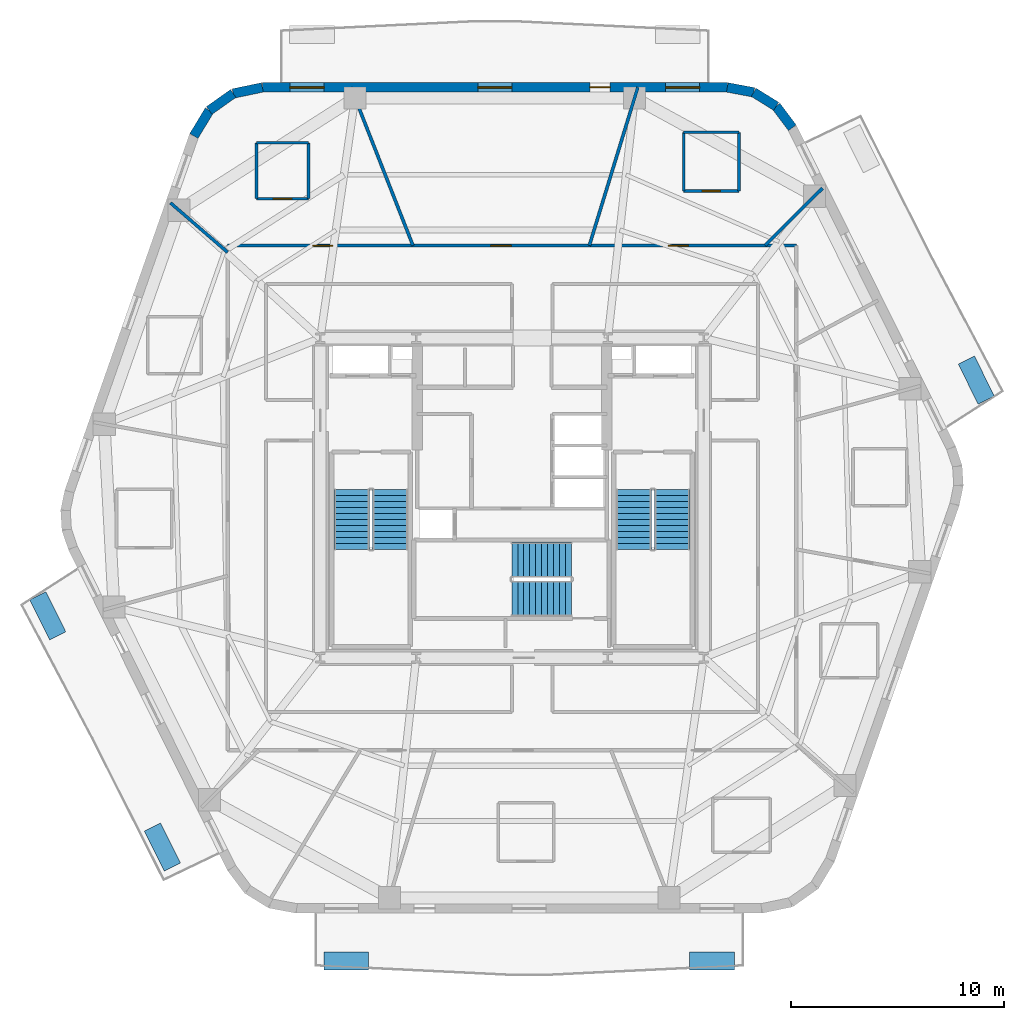
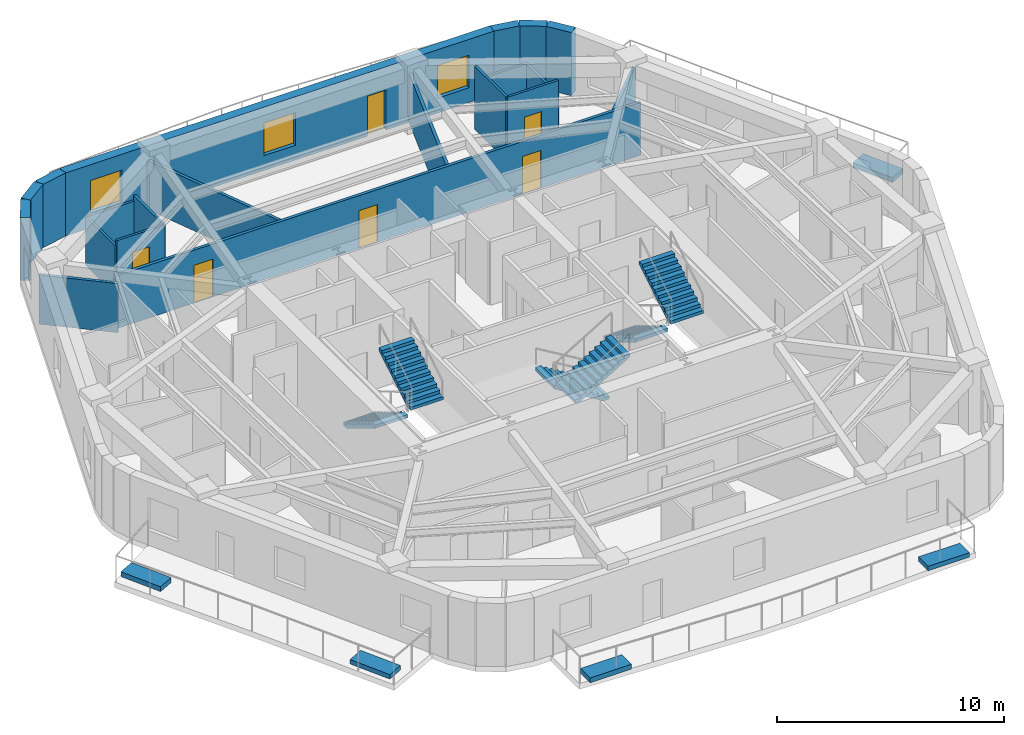
# One storey, part 6 of 10: 20 walls, 6 doors, 6 stair flights, 5 discrete accessories, 3 windows, 9 openings, 3 elements without a shape of their own.
"""IFC4 building model written with IfcOpenShell, lengths in metres."""

from ifc_helpers import new_model, si_unit, direction, frame, frame_2d, origin, origin_2d, place, context, subcontext, project, spatial, polyline, rectangle, outline, extrude, material, layer, layer_set, type_object, element, fill, aggregate, save


model = new_model("IFC4")

# Units and contexts
model_context = context("Model", 3, precision=1e-05, world=origin(), true_north=direction((0.0, 1.0)))
body_context = subcontext(model_context, "Body", "Model", "MODEL_VIEW")
ifc_project = project(units=[si_unit("LENGTHUNIT", "METRE"), si_unit("AREAUNIT", "SQUARE_METRE"), si_unit("VOLUMEUNIT", "CUBIC_METRE"), si_unit("PLANEANGLEUNIT", "RADIAN"), si_unit("MASSUNIT", "GRAM", prefix="KILO")], contexts=[model_context])

# Site, building, storey
site_placement = place(None, origin())
site = spatial("IfcSite", under=ifc_project, at=site_placement, CompositionType="ELEMENT")
building_placement = place(site_placement, origin())
building = spatial("IfcBuilding", under=site, at=building_placement, Name="Kilnhurst Terrace Hotel", CompositionType="ELEMENT")
storey_placement = place(building_placement, frame((0.0, 0.0, 186.699951171875)))
storey = spatial("IfcBuildingStorey", under=building, at=storey_placement, Name="L46", CompositionType="ELEMENT", Elevation=186.699951171875)

# Walls
ifc_material_1 = material(Name="Precast concrete C40/50", Category="concrete")
ifc_layer_1 = layer(ifc_material_1, 0.449951171875, Name="Precast concrete C40/50")
ifc_layer_set_1 = layer_set([ifc_layer_1], Name="Precast concrete C40/50")
wall_type_1 = type_object("IfcWallType", Name="WL-BRK-450", PredefinedType="SOLIDWALL", material=ifc_layer_set_1)
wall_1_placement = place(storey_placement, frame((13.162353515625, 17.380615234375, 0.0), z_axis=(0.0, 0.0, 1.0), x_axis=(-0.601515770517, 0.798860925205, 0.0)))
element("IfcWall", 1, at=wall_1_placement, inside=storey, type_object=wall_type_1, Name="L46 Rounded Corner Brick Wall C4.1", PredefinedType="SOLIDWALL", context=body_context, shape_type="SweptSolid", body=[
    extrude(rectangle(XDim=1.261962890625, YDim=0.449951171875, at=frame_2d((0.630859375, 0.0))), origin(), (0.0, 0.0, 1.0), 3.400146484375),
])
wall_2_placement = place(storey_placement, frame((12.4033203125, 18.388671875, 0.0), z_axis=(0.0, 0.0, 1.0), x_axis=(-0.849795170926, 0.527113049991, 0.0)))
element("IfcWall", 2, at=wall_2_placement, inside=storey, type_object=wall_type_1, Name="L46 Rounded Corner Brick Wall C4.2", PredefinedType="SOLIDWALL", context=body_context, shape_type="SweptSolid", body=[
    extrude(rectangle(XDim=1.24072265625, YDim=0.449951171875, at=frame_2d((0.620361328125, 0.0))), origin(), (0.0, 0.0, 1.0), 3.400146484375),
])
wall_3_placement = place(storey_placement, frame((11.348876953125, 19.042724609375, 0.0), z_axis=(0.0, 0.0, 1.0), x_axis=(-0.982931267051, 0.183973161772, 0.0)))
element("IfcWall", 3, at=wall_3_placement, inside=storey, type_object=wall_type_1, Name="L46 Rounded Corner Brick Wall C4.3", PredefinedType="SOLIDWALL", context=body_context, shape_type="SweptSolid", body=[
    extrude(rectangle(XDim=1.261962890625, YDim=0.449951171875, at=frame_2d((0.630859375, 0.0))), origin(), (0.0, 0.0, 1.0), 3.400146484375),
])
wall_4_placement = place(storey_placement, frame((-11.720458984375, 19.27490234375, 0.0), z_axis=(0.0, 0.0, 1.0), x_axis=(-0.97893106758, -0.204191001093, 0.0)))
element("IfcWall", 4, at=wall_4_placement, inside=storey, type_object=wall_type_1, Name="L46 Rounded Corner Brick Wall C5.1", PredefinedType="SOLIDWALL", context=body_context, shape_type="SweptSolid", body=[
    extrude(rectangle(XDim=1.400146484375, YDim=0.449951171875, at=frame_2d((0.7001953125, 0.0))), origin(), (0.0, 0.0, 1.0), 3.400146484375),
])
wall_5_placement = place(storey_placement, frame((-13.091064453125, 18.989013671875, 0.0), z_axis=(0.0, 0.0, 1.0), x_axis=(-0.815574637848, -0.578651890258, 0.0)))
element("IfcWall", 5, at=wall_5_placement, inside=storey, type_object=wall_type_1, Name="L46 Rounded Corner Brick Wall C5.2", PredefinedType="SOLIDWALL", context=body_context, shape_type="SweptSolid", body=[
    extrude(rectangle(XDim=1.376708984375, YDim=0.449951171875, at=frame_2d((0.6884765625, 0.0))), origin(), (0.0, 0.0, 1.0), 3.400146484375),
])
wall_6_placement = place(storey_placement, frame((-14.2138671875, 18.1923828125, 0.0), z_axis=(0.0, 0.0, 1.0), x_axis=(-0.516340945502, -0.856383108193, 0.0)))
element("IfcWall", 6, at=wall_6_placement, inside=storey, type_object=wall_type_1, Name="L46 Rounded Corner Brick Wall C5.3", PredefinedType="SOLIDWALL", context=body_context, shape_type="SweptSolid", body=[
    extrude(rectangle(XDim=1.400146484375, YDim=0.449951171875, at=frame_2d((0.7001953125, 0.0))), origin(), (0.0, 0.0, 1.0), 3.400146484375),
])

# Wall, openings, door, windows
wall_7_placement = place(storey_placement, frame((10.1083984375, 19.27490234375, 0.0), z_axis=(0.0, 0.0, 1.0), x_axis=(-1.0, 0.0, 0.0)))
wall_7 = element("IfcWall", 7, at=wall_7_placement, inside=storey, type_object=wall_type_1, Name="L46 Exterior Brick Facade Wall F4", PredefinedType="SOLIDWALL", context=body_context, shape_type="SweptSolid", body=[
    extrude(rectangle(XDim=21.828857421875, YDim=0.449951171875, at=frame_2d((10.91455078125, 0.0))), origin(), (0.0, 0.0, 1.0), 3.400146484375),
])
opening_1_placement = place(wall_7_placement, frame((5.5029296875, 0.0, 0.0)))
opening_1 = element("IfcOpeningElement", 8, at=opening_1_placement, cuts=wall_7, Name="Opening BD-950", PredefinedType="OPENING", context=body_context, shape_type="SweptSolid", body=[
    extrude(rectangle(XDim=0.949951171875, YDim=2.14990234375, at=frame_2d((0.47509765625, 1.074951171875))), frame((0.0, 0.23486328125, 0.0), z_axis=(0.0, -1.0, 0.0), x_axis=(1.0, 0.0, 0.0)), (0.0, 0.0, 1.0), 0.469970703125),
])
opening_2_placement = place(wall_7_placement, frame((1.297119140625, 0.0, 0.800048828125)))
opening_2 = element("IfcOpeningElement", 9, at=opening_2_placement, cuts=wall_7, Name="Opening W-05", PredefinedType="OPENING", context=body_context, shape_type="SweptSolid", body=[
    extrude(rectangle(XDim=1.60009765625, YDim=1.75, at=frame_2d((0.800048828125, 0.875))), frame((0.0, 0.23486328125, 0.0), z_axis=(0.0, -1.0, 0.0), x_axis=(1.0, 0.0, 0.0)), (0.0, 0.0, 1.0), 0.469970703125),
])
opening_3_placement = place(wall_7_placement, frame((10.114990234375, 0.0, 0.800048828125)))
opening_3 = element("IfcOpeningElement", 10, at=opening_3_placement, cuts=wall_7, Name="Opening W-05", PredefinedType="OPENING", context=body_context, shape_type="SweptSolid", body=[
    extrude(rectangle(XDim=1.60009765625, YDim=1.75, at=frame_2d((0.800048828125, 0.875))), frame((0.0, 0.23486328125, 0.0), z_axis=(0.0, -1.0, 0.0), x_axis=(1.0, 0.0, 0.0)), (0.0, 0.0, 1.0), 0.469970703125),
])
opening_4_placement = place(wall_7_placement, frame((18.93310546875, 0.0, 0.800048828125)))
opening_4 = element("IfcOpeningElement", 11, at=opening_4_placement, cuts=wall_7, Name="Opening W-05", PredefinedType="OPENING", context=body_context, shape_type="SweptSolid", body=[
    extrude(rectangle(XDim=1.60009765625, YDim=1.75, at=frame_2d((0.800048828125, 0.875))), frame((0.0, 0.23486328125, 0.0), z_axis=(0.0, -1.0, 0.0), x_axis=(1.0, 0.0, 0.0)), (0.0, 0.0, 1.0), 0.469970703125),
])
ifc_material_2 = material(Name="Thermally Broken Bronze Aluminium Alloy 6063-T6 and Laminated Glass", Category="aluminium")
door_type_1 = type_object("IfcDoorType", Name="DR-EXT-BAL-950", OperationType="NOTDEFINED", PredefinedType="DOOR", material=ifc_material_2)
door_1_placement = place(opening_1_placement, origin())
door_1 = element("IfcDoor", 12, at=door_1_placement, inside=storey, type_object=door_type_1, Name="L46 Planted Balcony Door BAL-L1B", OperationType="SINGLE_SWING_RIGHT", OverallHeight=2.14990234375, OverallWidth=0.949951171875, PredefinedType="DOOR", context=body_context, shape_type="SweptSolid", body=[
    extrude(rectangle(XDim=0.949951171875, YDim=2.14990234375, at=frame_2d((0.47509765625, 1.074951171875))), frame((0.0, 0.02490234375, 0.0), z_axis=(0.0, -1.0, 0.0), x_axis=(1.0, 0.0, 0.0)), (0.0, 0.0, 1.0), 0.050048828125),
])
fill(opening_1, door_1)
ifc_material_3 = material(Name="Thermally Broken Bronze Aluminium Alloy 6063-T6 and Low-E Glass", Category="aluminium")
window_type = type_object("IfcWindowType", Name="WIN-1600X1750", PartitioningType="SINGLE_PANEL", PredefinedType="WINDOW", material=ifc_material_3)
window_1_placement = place(opening_2_placement, origin())
window_1 = element("IfcWindow", 13, at=window_1_placement, inside=storey, type_object=window_type, Name="L46 Deep-Set Masonry Window F4.1", OverallHeight=1.75, OverallWidth=1.60009765625, PartitioningType="SINGLE_PANEL", PredefinedType="WINDOW", context=body_context, shape_type="SweptSolid", body=[
    extrude(rectangle(XDim=1.60009765625, YDim=1.75, at=frame_2d((0.800048828125, 0.875))), frame((0.0, 0.030029296875, 0.0), z_axis=(0.0, -1.0, 0.0), x_axis=(1.0, 0.0, 0.0)), (0.0, 0.0, 1.0), 0.06005859375),
])
fill(opening_2, window_1)
window_2_placement = place(opening_3_placement, origin())
window_2 = element("IfcWindow", 14, at=window_2_placement, inside=storey, type_object=window_type, Name="L46 Deep-Set Masonry Window F4.2", OverallHeight=1.75, OverallWidth=1.60009765625, PartitioningType="SINGLE_PANEL", PredefinedType="WINDOW", context=body_context, shape_type="SweptSolid", body=[
    extrude(rectangle(XDim=1.60009765625, YDim=1.75, at=frame_2d((0.800048828125, 0.875))), frame((0.0, 0.030029296875, 0.0), z_axis=(0.0, -1.0, 0.0), x_axis=(1.0, 0.0, 0.0)), (0.0, 0.0, 1.0), 0.06005859375),
])
fill(opening_3, window_2)
window_3_placement = place(opening_4_placement, origin())
window_3 = element("IfcWindow", 15, at=window_3_placement, inside=storey, type_object=window_type, Name="L46 Deep-Set Masonry Window F4.3", OverallHeight=1.75, OverallWidth=1.60009765625, PartitioningType="SINGLE_PANEL", PredefinedType="WINDOW", context=body_context, shape_type="SweptSolid", body=[
    extrude(rectangle(XDim=1.60009765625, YDim=1.75, at=frame_2d((0.800048828125, 0.875))), frame((0.0, 0.030029296875, 0.0), z_axis=(0.0, -1.0, 0.0), x_axis=(1.0, 0.0, 0.0)), (0.0, 0.0, 1.0), 0.06005859375),
])
fill(opening_4, window_3)

# Wall, openings, doors
ifc_material_4 = material(Name="Acoustic Double-Gypsum Corridor Partition Assembly")
ifc_layer_2 = layer(ifc_material_4, 0.14990234375, Name="Acoustic Double-Gypsum Corridor Partition Assembly")
ifc_layer_set_2 = layer_set([ifc_layer_2], Name="Acoustic Double-Gypsum Corridor Partition Assembly")
wall_type_2 = type_object("IfcWallType", Name="WL-COR-150", PredefinedType="PARTITIONING", material=ifc_layer_set_2)
wall_8_placement = place(storey_placement, frame((-13.35009765625, 11.85009765625, 0.0), z_axis=(0.0, 0.0, 1.0), x_axis=(1.0, 0.0, 0.0)))
wall_8 = element("IfcWall", 16, at=wall_8_placement, inside=storey, type_object=wall_type_2, Name="L46 Interior Wall WL-L46-COR-03", PredefinedType="PARTITIONING", context=body_context, shape_type="SweptSolid", body=[
    extrude(rectangle(XDim=26.7001953125, YDim=0.14990234375, at=frame_2d((13.35009765625, 0.0))), origin(), (0.0, 0.0, 1.0), 2.840087890625),
])
opening_5_placement = place(wall_8_placement, frame((20.681884765625, 0.0, 0.0)))
opening_5 = element("IfcOpeningElement", 17, at=opening_5_placement, cuts=wall_8, Name="Opening D-60B", PredefinedType="OPENING", context=body_context, shape_type="SweptSolid", body=[
    extrude(rectangle(XDim=0.949951171875, YDim=2.030029296875, at=frame_2d((0.47509765625, 1.01513671875))), frame((0.0, 0.0849609375, 0.0), z_axis=(0.0, -1.0, 0.0), x_axis=(1.0, 0.0, 0.0)), (0.0, 0.0, 1.0), 0.169921875),
])
opening_6_placement = place(wall_8_placement, frame((12.362060546875, 0.0, 0.0)))
opening_6 = element("IfcOpeningElement", 18, at=opening_6_placement, cuts=wall_8, Name="Opening D-60B", PredefinedType="OPENING", context=body_context, shape_type="SweptSolid", body=[
    extrude(rectangle(XDim=0.949951171875, YDim=2.030029296875, at=frame_2d((0.47509765625, 1.01513671875))), frame((0.0, 0.0849609375, 0.0), z_axis=(0.0, -1.0, 0.0), x_axis=(1.0, 0.0, 0.0)), (0.0, 0.0, 1.0), 0.169921875),
])
opening_7_placement = place(wall_8_placement, frame((3.9951171875, 0.0, 0.0)))
opening_7 = element("IfcOpeningElement", 19, at=opening_7_placement, cuts=wall_8, Name="Opening D-60B", PredefinedType="OPENING", context=body_context, shape_type="SweptSolid", body=[
    extrude(rectangle(XDim=0.949951171875, YDim=2.030029296875, at=frame_2d((0.47509765625, 1.01513671875))), frame((0.0, 0.0849609375, 0.0), z_axis=(0.0, -1.0, 0.0), x_axis=(1.0, 0.0, 0.0)), (0.0, 0.0, 1.0), 0.169921875),
])
ifc_material_5 = material(Name="Acoustic Walnut Veneer Solid-Core Fire Door")
door_type_2 = type_object("IfcDoorType", Name="DR-FD60-950", OperationType="NOTDEFINED", PredefinedType="DOOR", material=ifc_material_5)
door_2_placement = place(opening_5_placement, origin())
door_2 = element("IfcDoor", 20, at=door_2_placement, inside=storey, type_object=door_type_2, Name="L46 Executive Suite Entry Door 3", OperationType="SINGLE_SWING_LEFT", OverallHeight=2.030029296875, OverallWidth=0.949951171875, PredefinedType="DOOR", context=body_context, shape_type="SweptSolid", body=[
    extrude(rectangle(XDim=0.949951171875, YDim=2.030029296875, at=frame_2d((0.47509765625, 1.01513671875))), frame((0.0, 0.02490234375, 0.0), z_axis=(0.0, -1.0, 0.0), x_axis=(1.0, 0.0, 0.0)), (0.0, 0.0, 1.0), 0.050048828125),
])
fill(opening_5, door_2)
door_3_placement = place(opening_6_placement, origin())
door_3 = element("IfcDoor", 21, at=door_3_placement, inside=storey, type_object=door_type_2, Name="L46 Executive Boardroom Door", OperationType="SINGLE_SWING_RIGHT", OverallHeight=2.030029296875, OverallWidth=0.949951171875, PredefinedType="DOOR", context=body_context, shape_type="SweptSolid", body=[
    extrude(rectangle(XDim=0.949951171875, YDim=2.030029296875, at=frame_2d((0.47509765625, 1.01513671875))), frame((0.0, 0.02490234375, 0.0), z_axis=(0.0, -1.0, 0.0), x_axis=(1.0, 0.0, 0.0)), (0.0, 0.0, 1.0), 0.050048828125),
])
fill(opening_6, door_3)
door_4_placement = place(opening_7_placement, origin())
door_4 = element("IfcDoor", 22, at=door_4_placement, inside=storey, type_object=door_type_2, Name="L46 Executive Suite Entry Door 5", OperationType="SINGLE_SWING_LEFT", OverallHeight=2.030029296875, OverallWidth=0.949951171875, PredefinedType="DOOR", context=body_context, shape_type="SweptSolid", body=[
    extrude(rectangle(XDim=0.949951171875, YDim=2.030029296875, at=frame_2d((0.47509765625, 1.01513671875))), frame((0.0, 0.02490234375, 0.0), z_axis=(0.0, -1.0, 0.0), x_axis=(1.0, 0.0, 0.0)), (0.0, 0.0, 1.0), 0.050048828125),
])
fill(opening_7, door_4)

# Walls
ifc_material_6 = material(Name="STC-58 Acoustic Twin-Frame Guestroom Demising Partition")
ifc_layer_3 = layer(ifc_material_6, 0.14990234375, Name="STC-58 Acoustic Twin-Frame Guestroom Demising Partition")
ifc_layer_set_3 = layer_set([ifc_layer_3], Name="STC-58 Acoustic Twin-Frame Guestroom Demising Partition")
wall_type_3 = type_object("IfcWallType", Name="WL-DEM-150", PredefinedType="PARTITIONING", material=ifc_layer_set_3)
wall_9_placement = place(storey_placement, frame((11.8818359375, 11.85009765625, 0.0), z_axis=(0.0, 0.0, 1.0), x_axis=(0.708037373639, 0.706174962407, 0.0)))
element("IfcWall", 23, at=wall_9_placement, inside=storey, type_object=wall_type_3, Name="L46 Interior Wall WL-L46-DEM-COL02-03-1", PredefinedType="PARTITIONING", context=body_context, shape_type="SweptSolid", body=[
    extrude(rectangle(XDim=3.801513671875, YDim=0.14990234375, at=frame_2d((1.90087890625, 0.0))), origin(), (0.0, 0.0, 1.0), 2.64013671875),
])
wall_10_placement = place(storey_placement, frame((3.63134765625, 11.85009765625, 0.0), z_axis=(0.0, 0.0, 1.0), x_axis=(0.293007573338, 0.956110120209, 0.0)))
element("IfcWall", 24, at=wall_10_placement, inside=storey, type_object=wall_type_3, Name="L46 Interior Wall WL-L46-DEM-COL03-04-1", PredefinedType="PARTITIONING", context=body_context, shape_type="SweptSolid", body=[
    extrude(rectangle(XDim=7.765625, YDim=0.14990234375, at=frame_2d((3.8828125, 0.0))), origin(), (0.0, 0.0, 1.0), 2.64013671875),
])
wall_11_placement = place(storey_placement, frame((-4.64990234375, 11.85009765625, 0.0), z_axis=(0.0, 0.0, 1.0), x_axis=(-0.365265947993, 0.930903210456, 0.0)))
element("IfcWall", 25, at=wall_11_placement, inside=storey, type_object=wall_type_3, Name="L46 Interior Wall WL-L46-DEM-COL04-05-1", PredefinedType="PARTITIONING", context=body_context, shape_type="SweptSolid", body=[
    extrude(rectangle(XDim=7.975830078125, YDim=0.14990234375, at=frame_2d((3.98779296875, 0.0))), origin(), (0.0, 0.0, 1.0), 2.64013671875),
])
wall_12_placement = place(storey_placement, frame((-13.35009765625, 11.53271484375, 0.0), z_axis=(0.0, 0.0, 1.0), x_axis=(-0.756711647314, 0.65374879183, 0.0)))
element("IfcWall", 26, at=wall_12_placement, inside=storey, type_object=wall_type_3, Name="L46 Interior Wall WL-L46-DEM-COL05-06-1", PredefinedType="PARTITIONING", context=body_context, shape_type="SweptSolid", body=[
    extrude(rectangle(XDim=3.549560546875, YDim=0.14990234375, at=frame_2d((1.77490234375, 0.0))), origin(), (0.0, 0.0, 1.0), 2.64013671875),
])

# Wall, opening, door
ifc_material_7 = material(Name="120 mm Moisture-Resistant Tile-Backed Bathroom Partition")
ifc_layer_4 = layer(ifc_material_7, 0.1201171875, Name="120 mm Moisture-Resistant Tile-Backed Bathroom Partition")
ifc_layer_set_4 = layer_set([ifc_layer_4], Name="120 mm Moisture-Resistant Tile-Backed Bathroom Partition")
wall_type_4 = type_object("IfcWallType", Name="WL-PART-120", PredefinedType="PARTITIONING", material=ifc_layer_set_4)
wall_13_placement = place(storey_placement, frame((8.05810546875, 14.410888671875, 0.0), z_axis=(0.0, 0.0, 1.0), x_axis=(1.0, 0.0, 0.0)))
wall_13 = element("IfcWall", 27, at=wall_13_placement, inside=storey, type_object=wall_type_4, Name="L46 Interior Wall WL-L46-BTH-03-1", PredefinedType="PARTITIONING", context=body_context, shape_type="SweptSolid", body=[
    extrude(rectangle(XDim=2.599853515625, YDim=0.1201171875, at=frame_2d((1.2998046875, 0.0))), origin(), (0.0, 0.0, 1.0), 3.400146484375),
])
opening_8_placement = place(wall_13_placement, frame((0.875, 0.0, 0.0)))
opening_8 = element("IfcOpeningElement", 28, at=opening_8_placement, cuts=wall_13, Name="Opening D-08A", PredefinedType="OPENING", context=body_context, shape_type="SweptSolid", body=[
    extrude(rectangle(XDim=0.85009765625, YDim=2.030029296875, at=frame_2d((0.425048828125, 1.01513671875))), frame((0.0, 0.070068359375, 0.0), z_axis=(0.0, -1.0, 0.0), x_axis=(1.0, 0.0, 0.0)), (0.0, 0.0, 1.0), 0.14013671875),
])
ifc_material_8 = material(Name="Moisture-Resistant Lacquered En-suite Bathroom Door")
door_type_3 = type_object("IfcDoorType", Name="DR-INT-850", OperationType="NOTDEFINED", PredefinedType="DOOR", material=ifc_material_8)
door_5_placement = place(opening_8_placement, origin())
door_5 = element("IfcDoor", 29, at=door_5_placement, inside=storey, type_object=door_type_3, Name="L46 En-suite Bathroom Door 3", OperationType="SINGLE_SWING_RIGHT", OverallHeight=2.030029296875, OverallWidth=0.85009765625, PredefinedType="DOOR", context=body_context, shape_type="SweptSolid", body=[
    extrude(rectangle(XDim=0.85009765625, YDim=2.030029296875, at=frame_2d((0.425048828125, 1.01513671875))), frame((0.0, 0.02490234375, 0.0), z_axis=(0.0, -1.0, 0.0), x_axis=(1.0, 0.0, 0.0)), (0.0, 0.0, 1.0), 0.050048828125),
])
fill(opening_8, door_5)

# Walls
wall_14_placement = place(storey_placement, frame((10.657958984375, 14.410888671875, 0.0), z_axis=(0.0, 0.0, 1.0), x_axis=(0.0, 1.0, 0.0)))
element("IfcWall", 30, at=wall_14_placement, inside=storey, type_object=wall_type_4, Name="L46 Interior Wall WL-L46-BTH-03-2", PredefinedType="PARTITIONING", context=body_context, shape_type="SweptSolid", body=[
    extrude(rectangle(XDim=2.75, YDim=0.1201171875, at=frame_2d((1.375, 0.0))), origin(), (0.0, 0.0, 1.0), 2.64013671875),
])
wall_15_placement = place(storey_placement, frame((10.657958984375, 17.160888671875, 0.0), z_axis=(0.0, 0.0, 1.0), x_axis=(-1.0, 0.0, 0.0)))
element("IfcWall", 31, at=wall_15_placement, inside=storey, type_object=wall_type_4, Name="L46 Interior Wall WL-L46-BTH-03-3", PredefinedType="PARTITIONING", context=body_context, shape_type="SweptSolid", body=[
    extrude(rectangle(XDim=2.599853515625, YDim=0.1201171875, at=frame_2d((1.2998046875, 0.0))), origin(), (0.0, 0.0, 1.0), 2.64013671875),
])
wall_16_placement = place(storey_placement, frame((8.05810546875, 17.160888671875, 0.0), z_axis=(0.0, 0.0, 1.0), x_axis=(0.0, -1.0, 0.0)))
element("IfcWall", 32, at=wall_16_placement, inside=storey, type_object=wall_type_4, Name="L46 Interior Wall WL-L46-BTH-03-4", PredefinedType="PARTITIONING", context=body_context, shape_type="SweptSolid", body=[
    extrude(rectangle(XDim=2.75, YDim=0.1201171875, at=frame_2d((1.375, 0.0))), origin(), (0.0, 0.0, 1.0), 3.400146484375),
])

# Wall, opening, door
wall_17_placement = place(storey_placement, frame((-11.99609375, 14.056884765625, 0.0), z_axis=(0.0, 0.0, 1.0), x_axis=(1.0, 0.0, 0.0)))
wall_17 = element("IfcWall", 33, at=wall_17_placement, inside=storey, type_object=wall_type_4, Name="L46 Interior Wall WL-L46-BTH-05-1", PredefinedType="PARTITIONING", context=body_context, shape_type="SweptSolid", body=[
    extrude(rectangle(XDim=2.440185546875, YDim=0.1201171875, at=frame_2d((1.22021484375, 0.0))), origin(), (0.0, 0.0, 1.0), 2.926513671875),
])
opening_9_placement = place(wall_17_placement, frame((0.794921875, 0.0, 0.0)))
opening_9 = element("IfcOpeningElement", 34, at=opening_9_placement, cuts=wall_17, Name="Opening D-08A", PredefinedType="OPENING", context=body_context, shape_type="SweptSolid", body=[
    extrude(rectangle(XDim=0.85009765625, YDim=2.030029296875, at=frame_2d((0.425048828125, 1.01513671875))), frame((0.0, 0.070068359375, 0.0), z_axis=(0.0, -1.0, 0.0), x_axis=(1.0, 0.0, 0.0)), (0.0, 0.0, 1.0), 0.14013671875),
])
door_6_placement = place(opening_9_placement, origin())
door_6 = element("IfcDoor", 35, at=door_6_placement, inside=storey, type_object=door_type_3, Name="L46 En-suite Bathroom Door 5", OperationType="SINGLE_SWING_RIGHT", OverallHeight=2.030029296875, OverallWidth=0.85009765625, PredefinedType="DOOR", context=body_context, shape_type="SweptSolid", body=[
    extrude(rectangle(XDim=0.85009765625, YDim=2.030029296875, at=frame_2d((0.425048828125, 1.01513671875))), frame((0.0, 0.02490234375, 0.0), z_axis=(0.0, -1.0, 0.0), x_axis=(1.0, 0.0, 0.0)), (0.0, 0.0, 1.0), 0.050048828125),
])
fill(opening_9, door_6)

# Walls
wall_18_placement = place(storey_placement, frame((-9.555908203125, 14.056884765625, 0.0), z_axis=(0.0, 0.0, 1.0), x_axis=(0.0, 1.0, 0.0)))
element("IfcWall", 36, at=wall_18_placement, inside=storey, type_object=wall_type_4, Name="L46 Interior Wall WL-L46-BTH-05-2", PredefinedType="PARTITIONING", context=body_context, shape_type="SweptSolid", body=[
    extrude(rectangle(XDim=2.610107421875, YDim=0.1201171875, at=frame_2d((1.30517578125, 0.0))), origin(), (0.0, 0.0, 1.0), 2.926513671875),
])
wall_19_placement = place(storey_placement, frame((-9.555908203125, 16.6669921875, 0.0), z_axis=(0.0, 0.0, 1.0), x_axis=(-1.0, 0.0, 0.0)))
element("IfcWall", 37, at=wall_19_placement, inside=storey, type_object=wall_type_4, Name="L46 Interior Wall WL-L46-BTH-05-3", PredefinedType="PARTITIONING", context=body_context, shape_type="SweptSolid", body=[
    extrude(rectangle(XDim=2.440185546875, YDim=0.1201171875, at=frame_2d((1.22021484375, 0.0))), origin(), (0.0, 0.0, 1.0), 2.64013671875),
])
wall_20_placement = place(storey_placement, frame((-11.99609375, 16.6669921875, 0.0), z_axis=(0.0, 0.0, 1.0), x_axis=(0.0, -1.0, 0.0)))
element("IfcWall", 38, at=wall_20_placement, inside=storey, type_object=wall_type_4, Name="L46 Interior Wall WL-L46-BTH-05-4", PredefinedType="PARTITIONING", context=body_context, shape_type="SweptSolid", body=[
    extrude(rectangle(XDim=2.610107421875, YDim=0.1201171875, at=frame_2d((1.30517578125, 0.0))), origin(), (0.0, 0.0, 1.0), 2.64013671875),
])

# Stair, stair flights
ifc_material_9 = material(Name="Concrete C50/60", Category="concrete")
stair_type = type_object("IfcStairType", Name="STR-CORE-1660", PredefinedType="HALF_TURN_STAIR", material=ifc_material_9)
stair_1_placement = place(storey_placement, origin())
stair_1 = element("IfcStair", 39, at=stair_1_placement, inside=storey, type_object=stair_type, Name="L46 ST-1", PredefinedType="HALF_TURN_STAIR")
stair_flight_type = type_object("IfcStairFlightType", Name="FLT-RC-1660", PredefinedType="STRAIGHT", material=ifc_material_9)
stair_flight_1_placement = place(storey_placement, frame((-7.52001953125, 0.389892578125, 0.0), z_axis=(0.0, 0.0, 1.0), x_axis=(0.0, -1.0, 0.0)))
stair_flight_1 = element("IfcStairFlight", 40, at=stair_flight_1_placement, type_object=stair_flight_type, Name="ST-1 flight 1", NumberOfRisers=11, NumberOfTreads=10, PredefinedType="STRAIGHT", RiserHeight=0.168181818, TreadLength=0.28, context=body_context, shape_type="SweptSolid", body=[
    extrude(outline(polyline([(0.0, 0.0), (0.0, 0.168212890625), (0.280029296875, 0.168212890625), (0.280029296875, 0.33642578125), (0.56005859375, 0.33642578125), (0.56005859375, 0.504638671875), (0.840087890625, 0.504638671875), (0.840087890625, 0.672607421875), (1.1201171875, 0.672607421875), (1.1201171875, 0.8408203125), (1.39990234375, 0.8408203125), (1.39990234375, 1.009033203125), (1.679931640625, 1.009033203125), (1.679931640625, 1.17724609375), (1.9599609375, 1.17724609375), (1.9599609375, 1.345458984375), (2.239990234375, 1.345458984375), (2.239990234375, 1.513671875), (2.52001953125, 1.513671875), (2.52001953125, 1.681884765625), (2.800048828125, 1.681884765625), (2.800048828125, 1.85009765625), (2.800048828125, 1.5068359375), (0.291015625, 0.0), (0.0, 0.0)])), frame((0.0, 0.830078125, 0.0), z_axis=(0.0, -1.0, 0.0), x_axis=(1.0, 0.0, 0.0)), (0.0, 0.0, 1.0), 1.659912109375),
])
stair_flight_2_placement = place(storey_placement, frame((-5.7099609375, -2.409912109375, 1.85009765625), z_axis=(0.0, 0.0, 1.0), x_axis=(0.0, 1.0, 0.0)))
stair_flight_2 = element("IfcStairFlight", 41, at=stair_flight_2_placement, type_object=stair_flight_type, Name="ST-1 flight 2", NumberOfRisers=11, NumberOfTreads=10, PredefinedType="STRAIGHT", RiserHeight=0.168181818, TreadLength=0.28, context=body_context, shape_type="SweptSolid", body=[
    extrude(outline(polyline([(0.0, 0.0), (0.0, 0.168212890625), (0.280029296875, 0.168212890625), (0.280029296875, 0.33642578125), (0.56005859375, 0.33642578125), (0.56005859375, 0.504638671875), (0.840087890625, 0.504638671875), (0.840087890625, 0.672607421875), (1.1201171875, 0.672607421875), (1.1201171875, 0.8408203125), (1.39990234375, 0.8408203125), (1.39990234375, 1.009033203125), (1.679931640625, 1.009033203125), (1.679931640625, 1.17724609375), (1.9599609375, 1.17724609375), (1.9599609375, 1.345458984375), (2.239990234375, 1.345458984375), (2.239990234375, 1.513671875), (2.52001953125, 1.513671875), (2.52001953125, 1.681884765625), (2.800048828125, 1.681884765625), (2.800048828125, 1.85009765625), (2.800048828125, 1.5068359375), (0.291015625, 0.0), (0.0, 0.0)])), frame((0.0, 0.830078125, 0.0), z_axis=(0.0, -1.0, 0.0), x_axis=(1.0, 0.0, 0.0)), (0.0, 0.0, 1.0), 1.659912109375),
])
aggregate(stair_1, [stair_flight_1, stair_flight_2])

stair_2_placement = place(storey_placement, origin())
stair_2 = element("IfcStair", 42, at=stair_2_placement, inside=storey, type_object=stair_type, Name="L46 ST-2", PredefinedType="HALF_TURN_STAIR")
stair_flight_3_placement = place(storey_placement, frame((5.7099609375, 0.389892578125, 0.0), z_axis=(0.0, 0.0, 1.0), x_axis=(0.0, -1.0, 0.0)))
stair_flight_3 = element("IfcStairFlight", 43, at=stair_flight_3_placement, type_object=stair_flight_type, Name="ST-2 flight 1", NumberOfRisers=11, NumberOfTreads=10, PredefinedType="STRAIGHT", RiserHeight=0.168181818, TreadLength=0.28, context=body_context, shape_type="SweptSolid", body=[
    extrude(outline(polyline([(0.0, 0.0), (0.0, 0.168212890625), (0.280029296875, 0.168212890625), (0.280029296875, 0.33642578125), (0.56005859375, 0.33642578125), (0.56005859375, 0.504638671875), (0.840087890625, 0.504638671875), (0.840087890625, 0.672607421875), (1.1201171875, 0.672607421875), (1.1201171875, 0.8408203125), (1.39990234375, 0.8408203125), (1.39990234375, 1.009033203125), (1.679931640625, 1.009033203125), (1.679931640625, 1.17724609375), (1.9599609375, 1.17724609375), (1.9599609375, 1.345458984375), (2.239990234375, 1.345458984375), (2.239990234375, 1.513671875), (2.52001953125, 1.513671875), (2.52001953125, 1.681884765625), (2.800048828125, 1.681884765625), (2.800048828125, 1.85009765625), (2.800048828125, 1.5068359375), (0.291015625, 0.0), (0.0, 0.0)])), frame((0.0, 0.830078125, 0.0), z_axis=(0.0, -1.0, 0.0), x_axis=(1.0, 0.0, 0.0)), (0.0, 0.0, 1.0), 1.659912109375),
])
stair_flight_4_placement = place(storey_placement, frame((7.52001953125, -2.409912109375, 1.85009765625), z_axis=(0.0, 0.0, 1.0), x_axis=(0.0, 1.0, 0.0)))
stair_flight_4 = element("IfcStairFlight", 44, at=stair_flight_4_placement, type_object=stair_flight_type, Name="ST-2 flight 2", NumberOfRisers=11, NumberOfTreads=10, PredefinedType="STRAIGHT", RiserHeight=0.168181818, TreadLength=0.28, context=body_context, shape_type="SweptSolid", body=[
    extrude(outline(polyline([(0.0, 0.0), (0.0, 0.168212890625), (0.280029296875, 0.168212890625), (0.280029296875, 0.33642578125), (0.56005859375, 0.33642578125), (0.56005859375, 0.504638671875), (0.840087890625, 0.504638671875), (0.840087890625, 0.672607421875), (1.1201171875, 0.672607421875), (1.1201171875, 0.8408203125), (1.39990234375, 0.8408203125), (1.39990234375, 1.009033203125), (1.679931640625, 1.009033203125), (1.679931640625, 1.17724609375), (1.9599609375, 1.17724609375), (1.9599609375, 1.345458984375), (2.239990234375, 1.345458984375), (2.239990234375, 1.513671875), (2.52001953125, 1.513671875), (2.52001953125, 1.681884765625), (2.800048828125, 1.681884765625), (2.800048828125, 1.85009765625), (2.800048828125, 1.5068359375), (0.291015625, 0.0), (0.0, 0.0)])), frame((0.0, 0.830078125, 0.0), z_axis=(0.0, -1.0, 0.0), x_axis=(1.0, 0.0, 0.0)), (0.0, 0.0, 1.0), 1.659912109375),
])
aggregate(stair_2, [stair_flight_3, stair_flight_4])

stair_3_placement = place(storey_placement, origin())
stair_3 = element("IfcStair", 45, at=stair_3_placement, inside=storey, type_object=stair_type, Name="L46 ST-3", PredefinedType="HALF_TURN_STAIR")
stair_flight_5_placement = place(storey_placement, frame((2.7900390625, -2.909912109375, 0.0), z_axis=(0.0, 0.0, 1.0), x_axis=(-1.0, 0.0, 0.0)))
stair_flight_5 = element("IfcStairFlight", 46, at=stair_flight_5_placement, type_object=stair_flight_type, Name="ST-3 flight 1", NumberOfRisers=11, NumberOfTreads=10, PredefinedType="STRAIGHT", RiserHeight=0.168181818, TreadLength=0.28, context=body_context, shape_type="SweptSolid", body=[
    extrude(outline(polyline([(0.0, 0.0), (0.0, 0.168212890625), (0.280029296875, 0.168212890625), (0.280029296875, 0.33642578125), (0.56005859375, 0.33642578125), (0.56005859375, 0.504638671875), (0.840087890625, 0.504638671875), (0.840087890625, 0.672607421875), (1.1201171875, 0.672607421875), (1.1201171875, 0.8408203125), (1.39990234375, 0.8408203125), (1.39990234375, 1.009033203125), (1.679931640625, 1.009033203125), (1.679931640625, 1.17724609375), (1.9599609375, 1.17724609375), (1.9599609375, 1.345458984375), (2.239990234375, 1.345458984375), (2.239990234375, 1.513671875), (2.52001953125, 1.513671875), (2.52001953125, 1.681884765625), (2.800048828125, 1.681884765625), (2.800048828125, 1.85009765625), (2.800048828125, 1.5068359375), (0.291015625, 0.0), (0.0, 0.0)])), frame((0.0, 0.830078125, 0.0), z_axis=(0.0, -1.0, 0.0), x_axis=(1.0, 0.0, 0.0)), (0.0, 0.0, 1.0), 1.659912109375),
])
stair_flight_6_placement = place(storey_placement, frame((-0.010009765625, -4.719970703125, 1.85009765625), z_axis=(0.0, 0.0, 1.0), x_axis=(1.0, 0.0, 0.0)))
stair_flight_6 = element("IfcStairFlight", 47, at=stair_flight_6_placement, type_object=stair_flight_type, Name="ST-3 flight 2", NumberOfRisers=11, NumberOfTreads=10, PredefinedType="STRAIGHT", RiserHeight=0.168181818, TreadLength=0.28, context=body_context, shape_type="SweptSolid", body=[
    extrude(outline(polyline([(0.0, 0.0), (0.0, 0.168212890625), (0.280029296875, 0.168212890625), (0.280029296875, 0.33642578125), (0.56005859375, 0.33642578125), (0.56005859375, 0.504638671875), (0.840087890625, 0.504638671875), (0.840087890625, 0.672607421875), (1.1201171875, 0.672607421875), (1.1201171875, 0.8408203125), (1.39990234375, 0.8408203125), (1.39990234375, 1.009033203125), (1.679931640625, 1.009033203125), (1.679931640625, 1.17724609375), (1.9599609375, 1.17724609375), (1.9599609375, 1.345458984375), (2.239990234375, 1.345458984375), (2.239990234375, 1.513671875), (2.52001953125, 1.513671875), (2.52001953125, 1.681884765625), (2.800048828125, 1.681884765625), (2.800048828125, 1.85009765625), (2.800048828125, 1.5068359375), (0.291015625, 0.0), (0.0, 0.0)])), frame((0.0, 0.830078125, 0.0), z_axis=(0.0, -1.0, 0.0), x_axis=(1.0, 0.0, 0.0)), (0.0, 0.0, 1.0), 1.659912109375),
])
aggregate(stair_3, [stair_flight_5, stair_flight_6])

# Discrete accessories
ifc_material_10 = material(Name="Precast Concrete C40/50 Shrub Planter", Category="concrete")
discrete_accessory_type_1 = type_object("IfcDiscreteAccessoryType", Name="PLN-SHRUB-240", PredefinedType="USERDEFINED", material=ifc_material_10)
for number, where, z_axis, x_axis, name in (
    (48, (-16.414306640625, -16.393310546875, 0.0), (0.0, 0.0, 1.0), (0.444244308887, -0.895905683664, 0.0), "L46 Structural Tree Planter Box PLANTER BAL-L2A.2"),
    (49, (9.3935546875, -21.75, 0.0), (0.0, 0.0, 1.0), (1.0, 0.0, 0.0), "L46 Structural Tree Planter Box PLANTER BAL-L2B.2"),
):
    element("IfcDiscreteAccessory", number, at=place(storey_placement, frame(where, z_axis=z_axis, x_axis=x_axis)), inside=storey, type_object=discrete_accessory_type_1, Name=name, ObjectType="PLANTER", PredefinedType="USERDEFINED", context=body_context, shape_type="SweptSolid", body=[
        extrude(rectangle(XDim=2.10009765625, YDim=0.85009765625, at=origin_2d()), origin(), (0.0, 0.0, 1.0), 0.239990234375),
    ])
ifc_material_11 = material(Name="Precast Concrete C40/50 Tree Planter", Category="concrete")
discrete_accessory_type_2 = type_object("IfcDiscreteAccessoryType", Name="PLN-TREE-260", PredefinedType="USERDEFINED", material=ifc_material_11)
for number, where, z_axis, x_axis, name in (
    (50, (21.79833984375, 5.535400390625, 0.0), (0.0, 0.0, 1.0), (-0.444244308887, 0.895905683664, 0.0), "L46 Structural Tree Planter Box PLANTER BAL-L1A.1"),
    (51, (-21.79833984375, -5.535400390625, 0.0), (0.0, 0.0, 1.0), (0.444244308887, -0.895905683664, 0.0), "L46 Structural Tree Planter Box PLANTER BAL-L2A.1"),
    (52, (-7.779296875, -21.75, 0.0), (0.0, 0.0, 1.0), (1.0, 0.0, 0.0), "L46 Structural Tree Planter Box PLANTER BAL-L2B.1"),
):
    element("IfcDiscreteAccessory", number, at=place(storey_placement, frame(where, z_axis=z_axis, x_axis=x_axis)), inside=storey, type_object=discrete_accessory_type_2, Name=name, ObjectType="PLANTER", PredefinedType="USERDEFINED", context=body_context, shape_type="SweptSolid", body=[
        extrude(rectangle(XDim=2.10009765625, YDim=0.85009765625, at=origin_2d()), origin(), (0.0, 0.0, 1.0), 0.260009765625),
    ])

save(model, "model.ifc")
